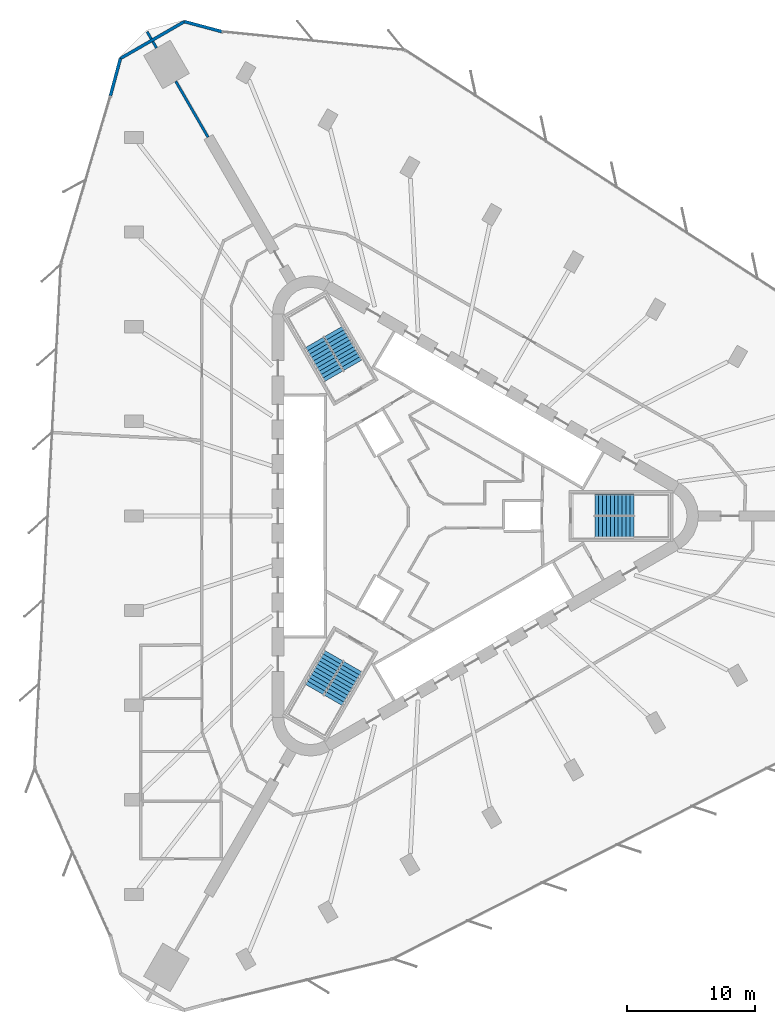
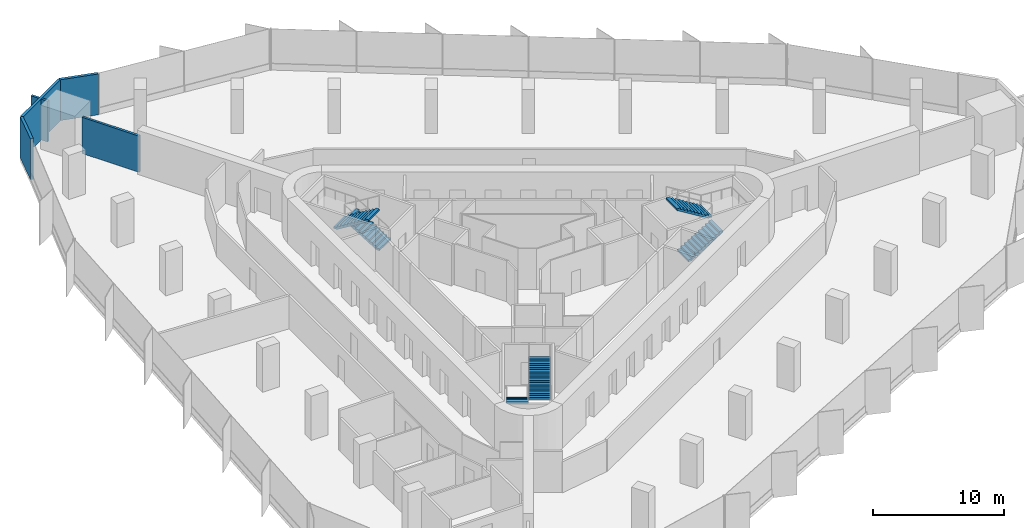
# One storey, part 13 of 14: 6 stair flights, 6 walls, 3 elements without a shape of their own.
"""IFC4 building model written with IfcOpenShell, lengths in metres."""

from ifc_helpers import new_model, si_unit, direction, frame, frame_2d, origin, place, context, subcontext, project, spatial, polyline, rectangle, outline, extrude, material, layer, layer_set, type_object, element, aggregate, save


model = new_model("IFC4")

# Units and contexts
model_context = context("Model", 3, precision=1e-05, world=origin(), true_north=direction((0.0, 1.0)))
body_context = subcontext(model_context, "Body", "Model", "MODEL_VIEW")
ifc_project = project(units=[si_unit("LENGTHUNIT", "METRE"), si_unit("AREAUNIT", "SQUARE_METRE"), si_unit("VOLUMEUNIT", "CUBIC_METRE"), si_unit("PLANEANGLEUNIT", "RADIAN"), si_unit("MASSUNIT", "GRAM", prefix="KILO")], contexts=[model_context])

# Site, building, storey
site_placement = place(None, origin())
site = spatial("IfcSite", under=ifc_project, at=site_placement, CompositionType="ELEMENT")
building_placement = place(site_placement, origin())
building = spatial("IfcBuilding", under=site, at=building_placement, Name="Tanit Gate Tower", CompositionType="ELEMENT")
storey_placement = place(building_placement, frame((0.0, 0.0, 111.10009765625)))
storey = spatial("IfcBuildingStorey", under=building, at=storey_placement, Name="L23", CompositionType="ELEMENT", Elevation=111.10009765625)

# Walls
ifc_material_1 = material(Name="Concrete C30/37 with bronze anodised aluminium cladding", Category="concrete")
ifc_layer_1 = layer(ifc_material_1, 0.239990234375)
ifc_layer_set_1 = layer_set([ifc_layer_1], Name="Facade wall bronze clad 240")
wall_type_1 = type_object("IfcWallType", Name="Facade wall bronze clad 240", PredefinedType="SOLIDWALL", material=ifc_layer_set_1)
wall_1_placement = place(storey_placement, frame((-16.0380859375, 37.83349609375, 0.0), z_axis=(0.0, 0.0, 1.0), x_axis=(-0.965933302526, 0.258791141795, 0.0)))
element("IfcWall", 1, at=wall_1_placement, inside=storey, type_object=wall_type_1, Name="Bronze-clad facade wall L23 NW.arc1", PredefinedType="SOLIDWALL", context=body_context, shape_type="SweptSolid", body=[
    extrude(rectangle(XDim=3.029296875, YDim=0.239990234375, at=frame_2d((1.5146484375, 0.0))), origin(), (0.0, 0.0, 1.0), 3.7998046875),
])
wall_2_placement = place(storey_placement, frame((-18.964111328125, 38.617431640625, 0.0), z_axis=(0.0, 0.0, 1.0), x_axis=(-0.866013679419, -0.500020306647, 0.0)))
element("IfcWall", 2, at=wall_2_placement, inside=storey, type_object=wall_type_1, Name="Bronze-clad facade wall L23 NW.arc2", PredefinedType="SOLIDWALL", context=body_context, shape_type="SweptSolid", body=[
    extrude(rectangle(XDim=5.770751953125, YDim=0.239990234375, at=frame_2d((2.88525390625, 0.0))), origin(), (0.0, 0.0, 1.0), 3.7998046875),
])
wall_3_placement = place(storey_placement, frame((-23.961669921875, 35.73193359375, 0.0), z_axis=(0.0, 0.0, 1.0), x_axis=(-0.258799378192, -0.965931095807, 0.0)))
element("IfcWall", 3, at=wall_3_placement, inside=storey, type_object=wall_type_1, Name="Bronze-clad facade wall L23 NW.arc3", PredefinedType="SOLIDWALL", context=body_context, shape_type="SweptSolid", body=[
    extrude(rectangle(XDim=3.020751953125, YDim=0.239990234375, at=frame_2d((1.51025390625, 0.0))), origin(), (0.0, 0.0, 1.0), 3.7998046875),
])
ifc_material_2 = material(Name="Fire-rated gypsum board partition")
ifc_layer_2 = layer(ifc_material_2, 0.199951171875)
ifc_layer_set_2 = layer_set([ifc_layer_2], Name="INT-WALL-COMPARTMENT")
wall_type_2 = type_object("IfcWallType", Name="INT-WALL-COMPARTMENT", PredefinedType="PARTITIONING", material=ifc_layer_set_2)
wall_4_placement = place(storey_placement, frame((-21.871337890625, 37.822265625, 0.0), z_axis=(0.0, 0.0, 1.0), x_axis=(0.500006411147, -0.866021702275, 0.0)))
element("IfcWall", 4, at=wall_4_placement, inside=storey, type_object=wall_type_2, Name="Wall Compartment W120", PredefinedType="PARTITIONING", context=body_context, shape_type="SweptSolid", body=[
    extrude(rectangle(XDim=0.64501953125, YDim=0.199951171875, at=frame_2d((0.322509765625, 0.0))), origin(), (0.0, 0.0, 1.0), 3.7998046875),
])
wall_5_placement = place(storey_placement, frame((-21.428955078125, 37.055908203125, 0.0), z_axis=(0.0, 0.0, 1.0), x_axis=(0.500193841991, -0.86591346013, 0.0)))
element("IfcWall", 5, at=wall_5_placement, inside=storey, type_object=wall_type_2, Name="Wall Compartment W120x1", PredefinedType="PARTITIONING", context=body_context, shape_type="SweptSolid", body=[
    extrude(rectangle(XDim=0.582763671875, YDim=0.199951171875, at=frame_2d((0.29150390625, 0.0))), origin(), (0.0, 0.0, 1.0), 3.7998046875),
])
wall_6_placement = place(storey_placement, frame((-19.637451171875, 33.953125, 0.0), z_axis=(0.0, 0.0, 1.0), x_axis=(0.499994660107, -0.866028486751, 0.0)))
element("IfcWall", 6, at=wall_6_placement, inside=storey, type_object=wall_type_2, Name="Wall Compartment W121", PredefinedType="PARTITIONING", context=body_context, shape_type="SweptSolid", body=[
    extrude(rectangle(XDim=5.04638671875, YDim=0.199951171875, at=frame_2d((2.523193359375, 0.0))), origin(), (0.0, 0.0, 1.0), 3.369873046875),
])

# Stair, stair flights
ifc_material_3 = material(Name="Concrete C40/50", Category="concrete")
stair_type = type_object("IfcStairType", Name="INT-STAIR-EXIT", PredefinedType="HALF_TURN_STAIR", material=ifc_material_3)
stair_1_placement = place(storey_placement, origin())
stair_1 = element("IfcStair", 7, at=stair_1_placement, inside=storey, type_object=stair_type, Name="L23 STAIR S1", PredefinedType="HALF_TURN_STAIR")
ifc_material_4 = material(Name="Concrete C40/50", Category="concrete")
stair_flight_type = type_object("IfcStairFlightType", Name="INT-STAIR-FLIGHT", PredefinedType="STRAIGHT", material=ifc_material_4)
stair_flight_1_placement = place(storey_placement, frame((13.094970703125, -0.8525390625, 0.0), z_axis=(0.0, 0.0, 1.0), x_axis=(1.0, 0.0, 0.0)))
stair_flight_1 = element("IfcStairFlight", 8, at=stair_flight_1_placement, type_object=stair_flight_type, Name="S1 flight 1", NumberOfRisers=11, NumberOfTreads=10, PredefinedType="STRAIGHT", RiserHeight=0.186363636, TreadLength=0.3051, context=body_context, shape_type="SweptSolid", body=[
    extrude(outline(polyline([(0.0, 0.0), (0.0, 0.186279296875), (0.30517578125, 0.186279296875), (0.30517578125, 0.372802734375), (0.610107421875, 0.372802734375), (0.610107421875, 0.55908203125), (0.915283203125, 0.55908203125), (0.915283203125, 0.745361328125), (1.220458984375, 0.745361328125), (1.220458984375, 0.931884765625), (1.525390625, 0.931884765625), (1.525390625, 1.1181640625), (1.83056640625, 1.1181640625), (1.83056640625, 1.304443359375), (2.1357421875, 1.304443359375), (2.1357421875, 1.490966796875), (2.44091796875, 1.490966796875), (2.44091796875, 1.67724609375), (2.745849609375, 1.67724609375), (2.745849609375, 1.863525390625), (3.051025390625, 1.863525390625), (3.051025390625, 2.050048828125), (3.051025390625, 1.68798828125), (0.28759765625, 0.0), (0.0, 0.0)])), frame((0.0, 0.84765625, 0.0), z_axis=(0.0, -1.0, 0.0), x_axis=(1.0, 0.0, 0.0)), (0.0, 0.0, 1.0), 1.695068359375),
])
stair_flight_2_placement = place(storey_placement, frame((16.14599609375, 0.8525390625, 2.0498046875), z_axis=(0.0, 0.0, 1.0), x_axis=(-1.0, 0.0, 0.0)))
stair_flight_2 = element("IfcStairFlight", 9, at=stair_flight_2_placement, type_object=stair_flight_type, Name="S1 flight 2", NumberOfRisers=11, NumberOfTreads=10, PredefinedType="STRAIGHT", RiserHeight=0.186363636, TreadLength=0.3051, context=body_context, shape_type="SweptSolid", body=[
    extrude(outline(polyline([(0.0, 0.0), (0.0, 0.186279296875), (0.30517578125, 0.186279296875), (0.30517578125, 0.372802734375), (0.610107421875, 0.372802734375), (0.610107421875, 0.55908203125), (0.915283203125, 0.55908203125), (0.915283203125, 0.745361328125), (1.220458984375, 0.745361328125), (1.220458984375, 0.931884765625), (1.525390625, 0.931884765625), (1.525390625, 1.1181640625), (1.83056640625, 1.1181640625), (1.83056640625, 1.304443359375), (2.1357421875, 1.304443359375), (2.1357421875, 1.490966796875), (2.44091796875, 1.490966796875), (2.44091796875, 1.67724609375), (2.745849609375, 1.67724609375), (2.745849609375, 1.863525390625), (3.051025390625, 1.863525390625), (3.051025390625, 2.050048828125), (3.051025390625, 1.68798828125), (0.28759765625, 0.0), (0.0, 0.0)])), frame((0.0, 0.84765625, 0.0), z_axis=(0.0, -1.0, 0.0), x_axis=(1.0, 0.0, 0.0)), (0.0, 0.0, 1.0), 1.695068359375),
])
aggregate(stair_1, [stair_flight_1, stair_flight_2])

stair_2_placement = place(storey_placement, origin())
stair_2 = element("IfcStair", 10, at=stair_2_placement, inside=storey, type_object=stair_type, Name="L23 STAIR S2", PredefinedType="HALF_TURN_STAIR")
stair_flight_3_placement = place(storey_placement, frame((-5.808349609375, 11.766357421875, 0.0), z_axis=(0.0, 0.0, 1.0), x_axis=(-0.5, 0.866025403784, 0.0)))
stair_flight_3 = element("IfcStairFlight", 11, at=stair_flight_3_placement, type_object=stair_flight_type, Name="S2 flight 1", NumberOfRisers=11, NumberOfTreads=10, PredefinedType="STRAIGHT", RiserHeight=0.186363636, TreadLength=0.30492, context=body_context, shape_type="SweptSolid", body=[
    extrude(outline(polyline([(0.0, 0.0), (0.0, 0.186279296875), (0.304931640625, 0.186279296875), (0.304931640625, 0.372802734375), (0.60986328125, 0.372802734375), (0.60986328125, 0.55908203125), (0.914794921875, 0.55908203125), (0.914794921875, 0.745361328125), (1.2197265625, 0.745361328125), (1.2197265625, 0.931884765625), (1.524658203125, 0.931884765625), (1.524658203125, 1.1181640625), (1.82958984375, 1.1181640625), (1.82958984375, 1.304443359375), (2.134521484375, 1.304443359375), (2.134521484375, 1.490966796875), (2.439453125, 1.490966796875), (2.439453125, 1.67724609375), (2.744384765625, 1.67724609375), (2.744384765625, 1.863525390625), (3.04931640625, 1.863525390625), (3.04931640625, 2.050048828125), (3.04931640625, 1.68798828125), (0.287353515625, 0.0), (0.0, 0.0)])), frame((0.0, 0.84716796875, 0.0), z_axis=(0.0, -1.0, 0.0), x_axis=(1.0, 0.0, 0.0)), (0.0, 0.0, 1.0), 1.694091796875),
])
stair_flight_4_placement = place(storey_placement, frame((-8.810302734375, 13.553955078125, 2.0498046875), z_axis=(0.0, 0.0, 1.0), x_axis=(0.5, -0.866025403784, 0.0)))
stair_flight_4 = element("IfcStairFlight", 12, at=stair_flight_4_placement, type_object=stair_flight_type, Name="S2 flight 2", NumberOfRisers=11, NumberOfTreads=10, PredefinedType="STRAIGHT", RiserHeight=0.186363636, TreadLength=0.30492, context=body_context, shape_type="SweptSolid", body=[
    extrude(outline(polyline([(0.0, 0.0), (0.0, 0.186279296875), (0.304931640625, 0.186279296875), (0.304931640625, 0.372802734375), (0.60986328125, 0.372802734375), (0.60986328125, 0.55908203125), (0.914794921875, 0.55908203125), (0.914794921875, 0.745361328125), (1.2197265625, 0.745361328125), (1.2197265625, 0.931884765625), (1.524658203125, 0.931884765625), (1.524658203125, 1.1181640625), (1.82958984375, 1.1181640625), (1.82958984375, 1.304443359375), (2.134521484375, 1.304443359375), (2.134521484375, 1.490966796875), (2.439453125, 1.490966796875), (2.439453125, 1.67724609375), (2.744384765625, 1.67724609375), (2.744384765625, 1.863525390625), (3.04931640625, 1.863525390625), (3.04931640625, 2.050048828125), (3.04931640625, 1.68798828125), (0.287353515625, 0.0), (0.0, 0.0)])), frame((0.0, 0.84716796875, 0.0), z_axis=(0.0, -1.0, 0.0), x_axis=(1.0, 0.0, 0.0)), (0.0, 0.0, 1.0), 1.694091796875),
])
aggregate(stair_2, [stair_flight_3, stair_flight_4])

stair_3_placement = place(storey_placement, origin())
stair_3 = element("IfcStair", 13, at=stair_3_placement, inside=storey, type_object=stair_type, Name="L23 STAIR S3", PredefinedType="HALF_TURN_STAIR")
stair_flight_5_placement = place(storey_placement, frame((-7.285888671875, -10.914306640625, 0.0), z_axis=(0.0, 0.0, 1.0), x_axis=(-0.5, -0.866025403784, 0.0)))
stair_flight_5 = element("IfcStairFlight", 14, at=stair_flight_5_placement, type_object=stair_flight_type, Name="S3 flight 1", NumberOfRisers=11, NumberOfTreads=10, PredefinedType="STRAIGHT", RiserHeight=0.186363636, TreadLength=0.3051, context=body_context, shape_type="SweptSolid", body=[
    extrude(outline(polyline([(0.0, 0.0), (0.0, 0.186279296875), (0.30517578125, 0.186279296875), (0.30517578125, 0.372802734375), (0.610107421875, 0.372802734375), (0.610107421875, 0.55908203125), (0.915283203125, 0.55908203125), (0.915283203125, 0.745361328125), (1.220458984375, 0.745361328125), (1.220458984375, 0.931884765625), (1.525390625, 0.931884765625), (1.525390625, 1.1181640625), (1.83056640625, 1.1181640625), (1.83056640625, 1.304443359375), (2.1357421875, 1.304443359375), (2.1357421875, 1.490966796875), (2.44091796875, 1.490966796875), (2.44091796875, 1.67724609375), (2.745849609375, 1.67724609375), (2.745849609375, 1.863525390625), (3.051025390625, 1.863525390625), (3.051025390625, 2.050048828125), (3.051025390625, 1.68798828125), (0.28759765625, 0.0), (0.0, 0.0)])), frame((0.0, 0.84765625, 0.0), z_axis=(0.0, -1.0, 0.0), x_axis=(1.0, 0.0, 0.0)), (0.0, 0.0, 1.0), 1.695068359375),
])
stair_flight_6_placement = place(storey_placement, frame((-7.334716796875, -14.4091796875, 2.0498046875), z_axis=(0.0, 0.0, 1.0), x_axis=(0.5, 0.866025403784, 0.0)))
stair_flight_6 = element("IfcStairFlight", 15, at=stair_flight_6_placement, type_object=stair_flight_type, Name="S3 flight 2", NumberOfRisers=11, NumberOfTreads=10, PredefinedType="STRAIGHT", RiserHeight=0.186363636, TreadLength=0.3051, context=body_context, shape_type="SweptSolid", body=[
    extrude(outline(polyline([(0.0, 0.0), (0.0, 0.186279296875), (0.30517578125, 0.186279296875), (0.30517578125, 0.372802734375), (0.610107421875, 0.372802734375), (0.610107421875, 0.55908203125), (0.915283203125, 0.55908203125), (0.915283203125, 0.745361328125), (1.220458984375, 0.745361328125), (1.220458984375, 0.931884765625), (1.525390625, 0.931884765625), (1.525390625, 1.1181640625), (1.83056640625, 1.1181640625), (1.83056640625, 1.304443359375), (2.1357421875, 1.304443359375), (2.1357421875, 1.490966796875), (2.44091796875, 1.490966796875), (2.44091796875, 1.67724609375), (2.745849609375, 1.67724609375), (2.745849609375, 1.863525390625), (3.051025390625, 1.863525390625), (3.051025390625, 2.050048828125), (3.051025390625, 1.68798828125), (0.28759765625, 0.0), (0.0, 0.0)])), frame((0.0, 0.84765625, 0.0), z_axis=(0.0, -1.0, 0.0), x_axis=(1.0, 0.0, 0.0)), (0.0, 0.0, 1.0), 1.695068359375),
])
aggregate(stair_3, [stair_flight_5, stair_flight_6])

save(model, "model.ifc")
